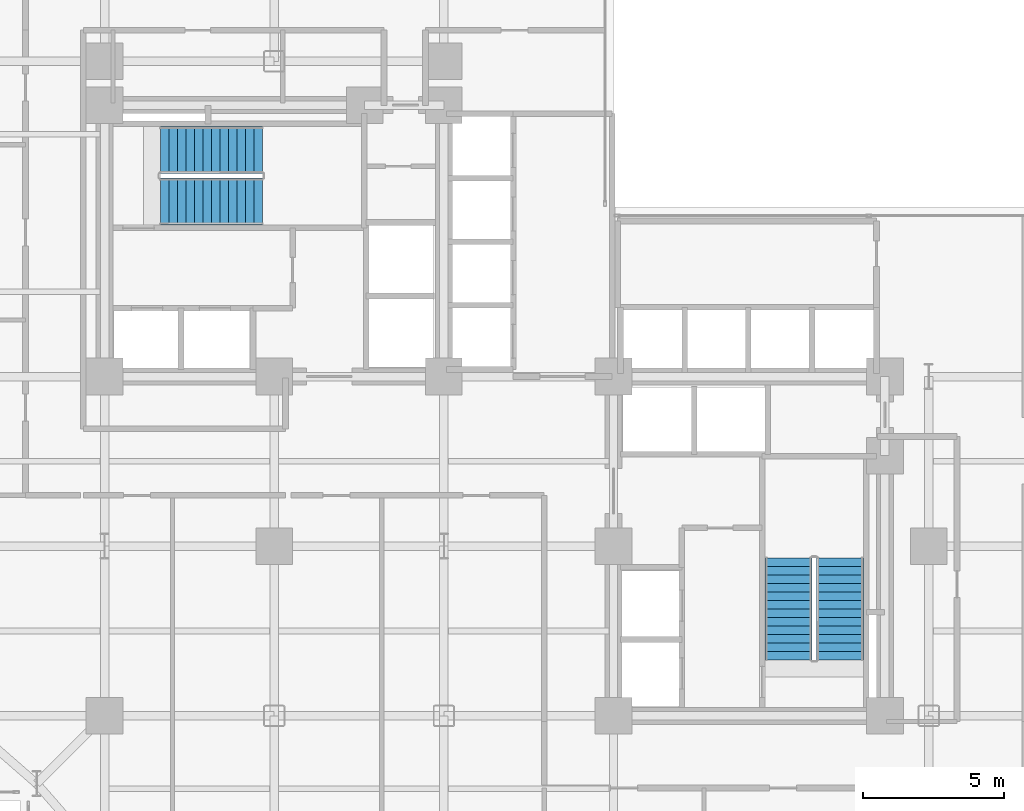
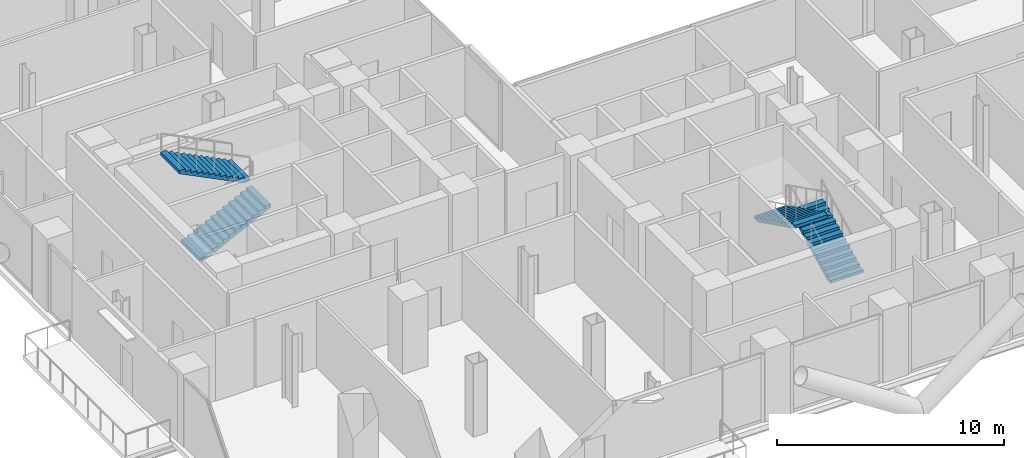
# One storey, part 23 of 25: 4 stair flights, 2 elements without a shape of their own.
"""IFC4 building model written with IfcOpenShell, lengths in metres."""

from ifc_helpers import new_model, si_unit, direction, frame, origin, place, context, subcontext, project, spatial, polyline, outline, extrude, material, type_object, element, aggregate, save


model = new_model("IFC4")

# Units and contexts
model_context = context("Model", 3, precision=1e-05, world=origin(), true_north=direction((0.0, 1.0)))
body_context = subcontext(model_context, "Body", "Model", "MODEL_VIEW")
ifc_project = project(units=[si_unit("LENGTHUNIT", "METRE"), si_unit("AREAUNIT", "SQUARE_METRE"), si_unit("VOLUMEUNIT", "CUBIC_METRE"), si_unit("PLANEANGLEUNIT", "RADIAN"), si_unit("MASSUNIT", "GRAM", prefix="KILO"), si_unit("THERMODYNAMICTEMPERATUREUNIT", "KELVIN"), si_unit("POWERUNIT", "WATT")], contexts=[model_context])

# Site, building, storey
site_placement = place(None, origin())
site = spatial("IfcSite", under=ifc_project, at=site_placement, CompositionType="ELEMENT")
building_placement = place(site_placement, origin())
building = spatial("IfcBuilding", under=site, at=building_placement, Name="Svarakhadi Broadcast Tower", CompositionType="ELEMENT")
storey_placement = place(building_placement, frame((0.0, 0.0, 63.60009765625)))
storey = spatial("IfcBuildingStorey", under=building, at=storey_placement, Name="L14", CompositionType="ELEMENT", Elevation=63.60009765625)

# Stair, stair flights
ifc_material = material(Name="Concrete C40/50 (IS 456 M50)", Category="concrete")
stair_type = type_object("IfcStairType", Name="Stair_Exit_Core", PredefinedType="HALF_TURN_STAIR", material=ifc_material)
stair_1_placement = place(storey_placement, origin())
stair_1 = element("IfcStair", 1, at=stair_1_placement, inside=storey, type_object=stair_type, Name="L14 West Core Protected Exit Stair ST-01", PredefinedType="HALF_TURN_STAIR")
stair_flight_type = type_object("IfcStairFlightType", Name="Flight_RC_1680", PredefinedType="STRAIGHT", material=ifc_material)
stair_flight_1_placement = place(storey_placement, frame((7.97998046875, 24.18994140625, 0.0), z_axis=(0.0, 0.0, 1.0), x_axis=(1.0, 0.0, 0.0)))
stair_flight_1 = element("IfcStairFlight", 2, at=stair_flight_1_placement, type_object=stair_flight_type, Name="ST-01 flight 1", NumberOfRisers=13, NumberOfTreads=12, PredefinedType="STRAIGHT", RiserHeight=0.15, TreadLength=0.3, context=body_context, shape_type="SweptSolid", body=[
    extrude(outline(polyline([(0.0, 0.0), (0.0, 0.14990234375), (0.300048828125, 0.14990234375), (0.300048828125, 0.300048828125), (0.60009765625, 0.300048828125), (0.60009765625, 0.449951171875), (0.89990234375, 0.449951171875), (0.89990234375, 0.60009765625), (1.199951171875, 0.60009765625), (1.199951171875, 0.75), (1.5, 0.75), (1.5, 0.89990234375), (1.800048828125, 0.89990234375), (1.800048828125, 1.050048828125), (2.10009765625, 1.050048828125), (2.10009765625, 1.199951171875), (2.39990234375, 1.199951171875), (2.39990234375, 1.35009765625), (2.699951171875, 1.35009765625), (2.699951171875, 1.5), (3.0, 1.5), (3.0, 1.64990234375), (3.300048828125, 1.64990234375), (3.300048828125, 1.800048828125), (3.60009765625, 1.800048828125), (3.60009765625, 1.949951171875), (3.60009765625, 1.63232421875), (0.335205078125, 0.0), (0.0, 0.0)])), frame((0.0, 0.830078125, 0.0), z_axis=(0.0, -1.0, 0.0), x_axis=(1.0, 0.0, 0.0)), (0.0, 0.0, 1.0), 1.659912109375),
])
stair_flight_2_placement = place(storey_placement, frame((11.580078125, 26.010009765625, 1.949951171875), z_axis=(0.0, 0.0, 1.0), x_axis=(-1.0, 0.0, 0.0)))
stair_flight_2 = element("IfcStairFlight", 3, at=stair_flight_2_placement, type_object=stair_flight_type, Name="ST-01 flight 2", NumberOfRisers=13, NumberOfTreads=12, PredefinedType="STRAIGHT", RiserHeight=0.15, TreadLength=0.3, context=body_context, shape_type="SweptSolid", body=[
    extrude(outline(polyline([(0.0, 0.0), (0.0, 0.14990234375), (0.300048828125, 0.14990234375), (0.300048828125, 0.300048828125), (0.60009765625, 0.300048828125), (0.60009765625, 0.449951171875), (0.89990234375, 0.449951171875), (0.89990234375, 0.60009765625), (1.199951171875, 0.60009765625), (1.199951171875, 0.75), (1.5, 0.75), (1.5, 0.89990234375), (1.800048828125, 0.89990234375), (1.800048828125, 1.050048828125), (2.10009765625, 1.050048828125), (2.10009765625, 1.199951171875), (2.39990234375, 1.199951171875), (2.39990234375, 1.35009765625), (2.699951171875, 1.35009765625), (2.699951171875, 1.5), (3.0, 1.5), (3.0, 1.64990234375), (3.300048828125, 1.64990234375), (3.300048828125, 1.800048828125), (3.60009765625, 1.800048828125), (3.60009765625, 1.949951171875), (3.60009765625, 1.63232421875), (0.335205078125, 0.0), (0.0, 0.0)])), frame((0.0, 0.830078125, 0.0), z_axis=(0.0, -1.0, 0.0), x_axis=(1.0, 0.0, 0.0)), (0.0, 0.0, 1.0), 1.659912109375),
])
aggregate(stair_1, [stair_flight_1, stair_flight_2])

stair_2_placement = place(storey_placement, origin())
stair_2 = element("IfcStair", 4, at=stair_2_placement, inside=storey, type_object=stair_type, Name="L14 East Core Protected Exit Stair ST-02", PredefinedType="HALF_TURN_STAIR")
stair_flight_3_placement = place(storey_placement, frame((32.010009765625, 7.97998046875, 0.0), z_axis=(0.0, 0.0, 1.0), x_axis=(0.0, 1.0, 0.0)))
stair_flight_3 = element("IfcStairFlight", 5, at=stair_flight_3_placement, type_object=stair_flight_type, Name="ST-02 flight 1", NumberOfRisers=13, NumberOfTreads=12, PredefinedType="STRAIGHT", RiserHeight=0.15, TreadLength=0.3, context=body_context, shape_type="SweptSolid", body=[
    extrude(outline(polyline([(0.0, 0.0), (0.0, 0.14990234375), (0.300048828125, 0.14990234375), (0.300048828125, 0.300048828125), (0.60009765625, 0.300048828125), (0.60009765625, 0.449951171875), (0.89990234375, 0.449951171875), (0.89990234375, 0.60009765625), (1.199951171875, 0.60009765625), (1.199951171875, 0.75), (1.5, 0.75), (1.5, 0.89990234375), (1.800048828125, 0.89990234375), (1.800048828125, 1.050048828125), (2.10009765625, 1.050048828125), (2.10009765625, 1.199951171875), (2.39990234375, 1.199951171875), (2.39990234375, 1.35009765625), (2.699951171875, 1.35009765625), (2.699951171875, 1.5), (3.0, 1.5), (3.0, 1.64990234375), (3.300048828125, 1.64990234375), (3.300048828125, 1.800048828125), (3.60009765625, 1.800048828125), (3.60009765625, 1.949951171875), (3.60009765625, 1.63232421875), (0.335205078125, 0.0), (0.0, 0.0)])), frame((0.0, 0.830078125, 0.0), z_axis=(0.0, -1.0, 0.0), x_axis=(1.0, 0.0, 0.0)), (0.0, 0.0, 1.0), 1.659912109375),
])
stair_flight_4_placement = place(storey_placement, frame((30.18994140625, 11.580078125, 1.949951171875), z_axis=(0.0, 0.0, 1.0), x_axis=(0.0, -1.0, 0.0)))
stair_flight_4 = element("IfcStairFlight", 6, at=stair_flight_4_placement, type_object=stair_flight_type, Name="ST-02 flight 2", NumberOfRisers=13, NumberOfTreads=12, PredefinedType="STRAIGHT", RiserHeight=0.15, TreadLength=0.3, context=body_context, shape_type="SweptSolid", body=[
    extrude(outline(polyline([(0.0, 0.0), (0.0, 0.14990234375), (0.300048828125, 0.14990234375), (0.300048828125, 0.300048828125), (0.60009765625, 0.300048828125), (0.60009765625, 0.449951171875), (0.89990234375, 0.449951171875), (0.89990234375, 0.60009765625), (1.199951171875, 0.60009765625), (1.199951171875, 0.75), (1.5, 0.75), (1.5, 0.89990234375), (1.800048828125, 0.89990234375), (1.800048828125, 1.050048828125), (2.10009765625, 1.050048828125), (2.10009765625, 1.199951171875), (2.39990234375, 1.199951171875), (2.39990234375, 1.35009765625), (2.699951171875, 1.35009765625), (2.699951171875, 1.5), (3.0, 1.5), (3.0, 1.64990234375), (3.300048828125, 1.64990234375), (3.300048828125, 1.800048828125), (3.60009765625, 1.800048828125), (3.60009765625, 1.949951171875), (3.60009765625, 1.63232421875), (0.335205078125, 0.0), (0.0, 0.0)])), frame((0.0, 0.830078125, 0.0), z_axis=(0.0, -1.0, 0.0), x_axis=(1.0, 0.0, 0.0)), (0.0, 0.0, 1.0), 1.659912109375),
])
aggregate(stair_2, [stair_flight_3, stair_flight_4])

save(model, "model.ifc")
